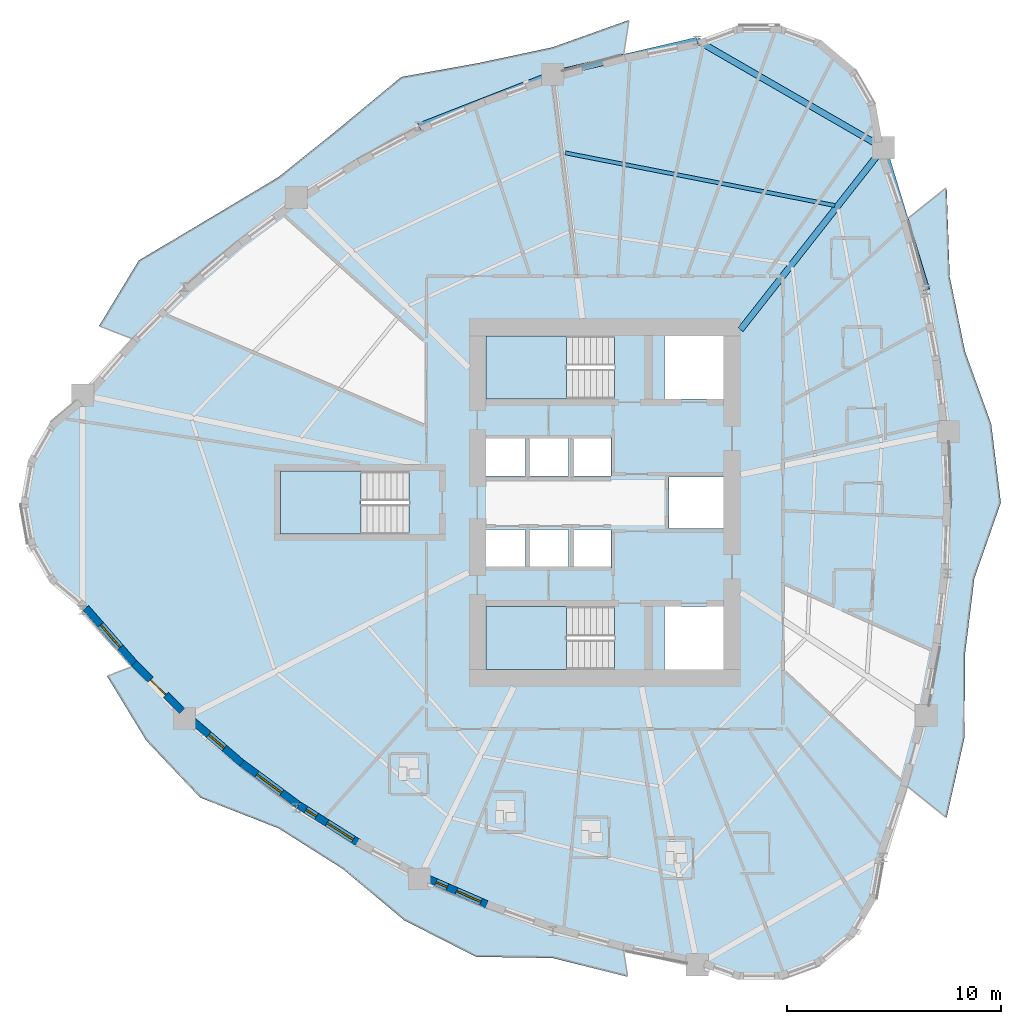
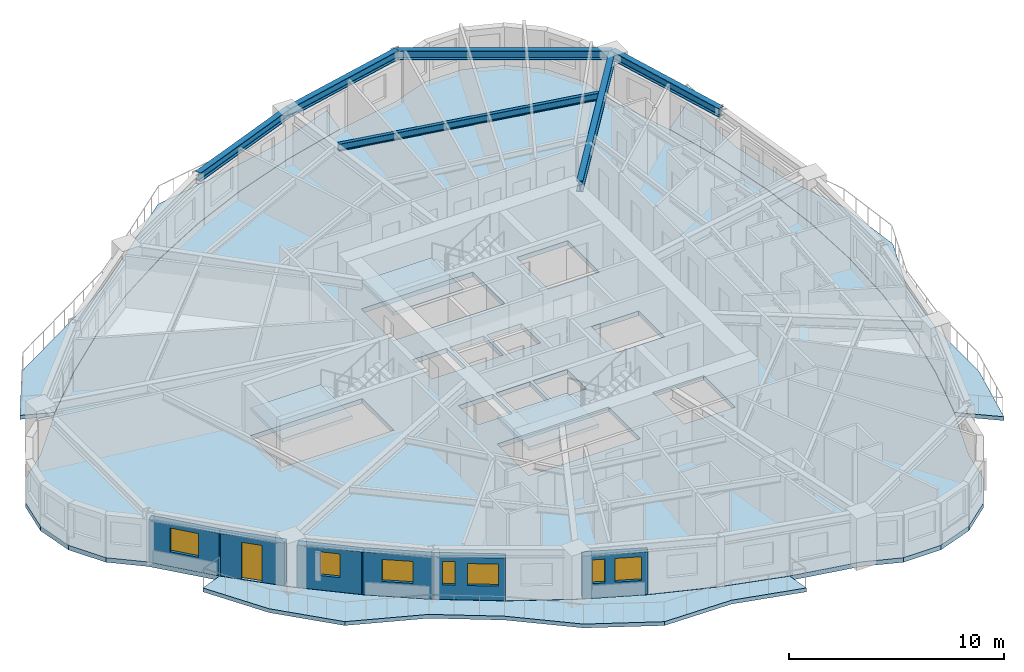
# One storey, part 2 of 14: 7 slabs, 7 windows, 6 beams, 6 walls, 1 door, 8 openings, 3 elements without a shape of their own.
"""IFC4 building model written with IfcOpenShell, lengths in metres."""

from ifc_helpers import new_model, si_unit, direction, frame, frame_2d, origin, origin_2d, place, context, subcontext, project, spatial, polyline, rectangle, i_section, outline, extrude, source, transform, mapped, material, layer, layer_set, material_profile, profile_set, type_object, element, fill, aggregate, save


model = new_model("IFC4")

# Units and contexts
model_context = context("Model", 3, precision=1e-05, world=origin(), true_north=direction((0.0, 1.0)))
body_context = subcontext(model_context, "Body", "Model", "MODEL_VIEW")
ifc_project = project(units=[si_unit("LENGTHUNIT", "METRE"), si_unit("AREAUNIT", "SQUARE_METRE"), si_unit("VOLUMEUNIT", "CUBIC_METRE"), si_unit("PLANEANGLEUNIT", "RADIAN"), si_unit("MASSUNIT", "GRAM", prefix="KILO")], contexts=[model_context])

# Site, building, storey
site_placement = place(None, origin())
site = spatial("IfcSite", under=ifc_project, at=site_placement, CompositionType="ELEMENT")
building_placement = place(site_placement, origin())
building = spatial("IfcBuilding", under=site, at=building_placement, Name="Qafzar Sky-Pleat Residences", CompositionType="ELEMENT")
storey_placement = place(building_placement, frame((0.0, 0.0, 20.60009765625)))
storey = spatial("IfcBuildingStorey", under=building, at=storey_placement, Name="L05", CompositionType="ELEMENT", Elevation=20.60009765625)

# Beams
ifc_material_1 = material(Name="Steel S355", Category="steel")
ifc_material_profile_1 = material_profile(ifc_material_1, i_section(OverallWidth=0.300048828125, OverallDepth=0.5, WebThickness=0.014404296875, FlangeThickness=0.028076171875, FilletRadius=0.027099609375, at=origin_2d()), Name="HEB 500")
ifc_profile_set_1 = profile_set([ifc_material_profile_1], Name="Steel S355")
beam_type_1 = type_object("IfcBeamType", Name="BM-SPAN-HEB500", PredefinedType="SPANDREL", material=ifc_profile_set_1)
shared_shape_1 = source(origin(), body_context, "Body", "SweptSolid", [
    extrude(i_section(OverallWidth=0.300048828125, OverallDepth=0.5, WebThickness=0.014404296875, FlangeThickness=0.028076171875, FilletRadius=0.027099609375, at=origin_2d()), origin(), (0.0, 0.0, 1.0), 10.0458984375),
])
beam_1_placement = place(storey_placement, frame((43.37255859375, 42.580078125, 2.68798828125), z_axis=(-0.866024107753, 0.500002244785, 0.0), x_axis=(-0.500002244785, -0.866024107753, 0.0)))
element("IfcBeam", 1, at=beam_1_placement, inside=storey, type_object=beam_type_1, Name="L05 Perimeter Spandrel Beam 13", PredefinedType="SPANDREL", context=body_context, shape_type="MappedRepresentation", body=[
    mapped(shared_shape_1, transform((0.0, 0.0, 0.0), x_axis=(1.0, 0.0, 0.0), y_axis=(0.0, 1.0, 0.0), z_axis=(0.0, 0.0, 1.0), scale=1.0)),
])
shared_shape_2 = source(origin(), body_context, "Body", "SweptSolid", [
    extrude(i_section(OverallWidth=0.300048828125, OverallDepth=0.5, WebThickness=0.014404296875, FlangeThickness=0.028076171875, FilletRadius=0.027099609375, at=origin_2d()), origin(), (0.0, 0.0, 1.0), 6.931640625),
])
beam_2_placement = place(storey_placement, frame((45.388671875, 35.947998046875, 2.68798828125), z_axis=(-0.290851866261, 0.956768097238, 0.0), x_axis=(-0.956768097238, -0.290851866261, 0.0)))
element("IfcBeam", 2, at=beam_2_placement, inside=storey, type_object=beam_type_1, Name="L05 Perimeter Spandrel Beam 12", PredefinedType="SPANDREL", context=body_context, shape_type="MappedRepresentation", body=[
    mapped(shared_shape_2, transform((0.0, 0.0, 0.0), x_axis=(1.0, 0.0, 0.0), y_axis=(0.0, 1.0, 0.0), z_axis=(0.0, 0.0, 1.0), scale=1.0)),
])
shared_shape_3 = source(origin(), body_context, "Body", "SweptSolid", [
    extrude(i_section(OverallWidth=0.300048828125, OverallDepth=0.5, WebThickness=0.014404296875, FlangeThickness=0.028076171875, FilletRadius=0.027099609375, at=origin_2d()), origin(), (0.0, 0.0, 1.0), 6.708251953125),
])
beam_3_placement = place(storey_placement, frame((27.9208984375, 46.032958984375, 2.68798828125), z_axis=(-0.931335108282, -0.364163309631, 0.0), x_axis=(0.364163309631, -0.931335108282, 0.0)))
element("IfcBeam", 3, at=beam_3_placement, inside=storey, type_object=beam_type_1, Name="L05 Perimeter Spandrel Beam 15", PredefinedType="SPANDREL", context=body_context, shape_type="MappedRepresentation", body=[
    mapped(shared_shape_3, transform((0.0, 0.0, 0.0), x_axis=(1.0, 0.0, 0.0), y_axis=(0.0, 1.0, 0.0), z_axis=(0.0, 0.0, 1.0), scale=1.0)),
])
shared_shape_4 = source(origin(), body_context, "Body", "SweptSolid", [
    extrude(i_section(OverallWidth=0.300048828125, OverallDepth=0.5, WebThickness=0.014404296875, FlangeThickness=0.028076171875, FilletRadius=0.027099609375, at=origin_2d()), origin(), (0.0, 0.0, 1.0), 6.931884765625),
])
beam_4_placement = place(storey_placement, frame((34.672607421875, 47.60302734375, 2.68798828125), z_axis=(-0.974011098993, -0.226500284853, 0.0), x_axis=(0.226500284853, -0.974011098993, 0.0)))
element("IfcBeam", 4, at=beam_4_placement, inside=storey, type_object=beam_type_1, Name="L05 Perimeter Spandrel Beam 14", PredefinedType="SPANDREL", context=body_context, shape_type="MappedRepresentation", body=[
    mapped(shared_shape_4, transform((0.0, 0.0, 0.0), x_axis=(1.0, 0.0, 0.0), y_axis=(0.0, 1.0, 0.0), z_axis=(0.0, 0.0, 1.0), scale=1.0)),
])
ifc_material_profile_2 = material_profile(ifc_material_1, i_section(OverallWidth=0.300048828125, OverallDepth=0.60009765625, WebThickness=0.015380859375, FlangeThickness=0.030029296875, FilletRadius=0.027099609375, at=origin_2d()), Name="HEB 600")
ifc_profile_set_2 = profile_set([ifc_material_profile_2], Name="Steel S355")
beam_type_2 = type_object("IfcBeamType", Name="BM-GIRD-HEB600", PredefinedType="BEAM", material=ifc_profile_set_2)
shared_shape_5 = source(origin(), body_context, "Body", "SweptSolid", [
    extrude(i_section(OverallWidth=0.300048828125, OverallDepth=0.60009765625, WebThickness=0.015380859375, FlangeThickness=0.030029296875, FilletRadius=0.027099609375, at=origin_2d()), origin(), (0.0, 0.0, 1.0), 10.802490234375),
])
beam_5_placement = place(storey_placement, frame((43.37255859375, 42.580078125, 2.637939453125), z_axis=(-0.617688793102, -0.786422631208, 0.0), x_axis=(0.786422631208, -0.617688793102, 0.0)))
element("IfcBeam", 5, at=beam_5_placement, inside=storey, type_object=beam_type_2, Name="L05 Radial Floor Girder 13", PredefinedType="BEAM", context=body_context, shape_type="MappedRepresentation", body=[
    mapped(shared_shape_5, transform((0.0, 0.0, 0.0), x_axis=(1.0, 0.0, 0.0), y_axis=(0.0, 1.0, 0.0), z_axis=(0.0, 0.0, 1.0), scale=1.0)),
])
ifc_material_profile_3 = material_profile(ifc_material_1, i_section(OverallWidth=0.179931640625, OverallDepth=0.39990234375, WebThickness=0.008544921875, FlangeThickness=0.013427734375, FilletRadius=0.02099609375, at=origin_2d()), Name="IPE 400")
ifc_profile_set_3 = profile_set([ifc_material_profile_3], Name="Steel S355")
beam_type_3 = type_object("IfcBeamType", Name="BM-JST-IPE400", PredefinedType="JOIST", material=ifc_profile_set_3)
shared_shape_6 = source(origin(), body_context, "Body", "SweptSolid", [
    extrude(i_section(OverallWidth=0.179931640625, OverallDepth=0.39990234375, WebThickness=0.008544921875, FlangeThickness=0.013427734375, FilletRadius=0.02099609375, at=origin_2d()), origin(), (0.0, 0.0, 1.0), 12.845703125),
])
beam_6_placement = place(storey_placement, frame((41.104736328125, 39.887451171875, 2.73779296875), z_axis=(-0.98147377173, 0.191596543305, 0.0), x_axis=(-0.191596543305, -0.98147377173, 0.0)))
element("IfcBeam", 6, at=beam_6_placement, inside=storey, type_object=beam_type_3, Name="L05 Outer Secondary Floor Joist 7", PredefinedType="JOIST", context=body_context, shape_type="MappedRepresentation", body=[
    mapped(shared_shape_6, transform((0.0, 0.0, 0.0), x_axis=(1.0, 0.0, 0.0), y_axis=(0.0, 1.0, 0.0), z_axis=(0.0, 0.0, 1.0), scale=1.0)),
])

# Slabs
ifc_material_2 = material(Name="Concrete C40/50", Category="concrete")
ifc_layer_1 = layer(ifc_material_2, 0.219970703125)
ifc_layer_set_1 = layer_set([ifc_layer_1], Name="Concrete C40/50")
slab_type_1 = type_object("IfcSlabType", Name="SLAB-BAL-220", PredefinedType="USERDEFINED", material=ifc_layer_set_1)
slab_1_placement = place(storey_placement, frame((0.0, 0.0, -0.22021484375)))
element("IfcSlab", 7, at=slab_1_placement, inside=storey, type_object=slab_type_1, Name="L05 Pleated Stone Balcony 1", ObjectType="BALCONY", PredefinedType="USERDEFINED", context=body_context, shape_type="SweptSolid", body=[
    extrude(outline(polyline([(45.39892578125, 16.0458984375), (46.030029296875, 19.364013671875), (46.408447265625, 22.681884765625), (46.53466796875, 26.0), (46.408447265625, 29.318115234375), (46.030029296875, 32.635986328125), (45.39892578125, 35.9541015625), (44.51611328125, 39.271484375), (46.3330078125, 40.7314453125), (46.4736328125, 36.568603515625), (47.19189453125, 33.063720703125), (48.414306640625, 29.6796875), (48.865478515625, 26.0), (47.626953125, 22.46240234375), (47.19189453125, 18.936279296875), (47.16796875, 15.033935546875), (46.3330078125, 11.2685546875), (44.51611328125, 12.728515625), (45.39892578125, 16.0458984375)])), origin(), (0.0, 0.0, 1.0), 0.22021484375),
])
slab_2_placement = place(storey_placement, frame((0.0, 0.0, -0.22021484375)))
element("IfcSlab", 8, at=slab_2_placement, inside=storey, type_object=slab_type_1, Name="L05 Pleated Stone Balcony 2", ObjectType="BALCONY", PredefinedType="USERDEFINED", context=body_context, shape_type="SweptSolid", body=[
    extrude(outline(polyline([(27.9208984375, 46.044921875), (24.732177734375, 44.932373046875), (21.669189453125, 43.601318359375), (18.732666015625, 42.051513671875), (15.922119140625, 40.283203125), (13.238037109375, 38.29638671875), (10.679931640625, 36.091064453125), (8.24853515625, 33.66748046875), (6.721435546875, 34.26025390625), (8.573486328125, 37.318359375), (11.9794921875, 39.344482421875), (15.122802734375, 41.228515625), (17.91357421875, 43.469970703125), (20.84423828125, 45.8955078125), (24.45361328125, 46.546630859375), (27.916015625, 47.282958984375), (31.485595703125, 48.5576171875), (31.235595703125, 46.93896484375), (27.9208984375, 46.044921875)])), origin(), (0.0, 0.0, 1.0), 0.22021484375),
])
slab_3_placement = place(storey_placement, frame((0.0, 0.0, -0.22021484375)))
element("IfcSlab", 9, at=slab_3_placement, inside=storey, type_object=slab_type_1, Name="L05 Pleated Stone Balcony 3", ObjectType="BALCONY", PredefinedType="USERDEFINED", context=body_context, shape_type="SweptSolid", body=[
    extrude(outline(polyline([(10.679931640625, 15.908935546875), (13.238037109375, 13.70361328125), (15.922119140625, 11.716796875), (18.732666015625, 9.948486328125), (21.669189453125, 8.398681640625), (24.732177734375, 7.067626953125), (27.9208984375, 5.955078125), (31.235595703125, 5.06103515625), (31.424560546875, 3.837646484375), (27.916015625, 4.717041015625), (24.335693359375, 4.770751953125), (20.9794921875, 6.48095703125), (18.113525390625, 8.87646484375), (15.122802734375, 10.771484375), (11.447021484375, 12.2119140625), (8.919189453125, 14.883056640625), (7.094482421875, 17.884521484375), (8.24853515625, 18.33251953125), (10.679931640625, 15.908935546875)])), origin(), (0.0, 0.0, 1.0), 0.22021484375),
])
ifc_layer_2 = layer(ifc_material_2, 0.260009765625)
ifc_layer_set_2 = layer_set([ifc_layer_2], Name="Concrete C40/50")
slab_type_2 = type_object("IfcSlabType", Name="SLAB-FLR-260", PredefinedType="FLOOR", material=ifc_layer_set_2)
slab_4_placement = place(storey_placement, frame((0.0, 0.0, -0.260009765625)))
element("IfcSlab", 10, at=slab_4_placement, inside=storey, type_object=slab_type_2, Name="L05 Structural Floor Slab", PredefinedType="FLOOR", context=body_context, shape_type="SweptSolid", body=[
    extrude(outline(polyline([(5.955078125, 31.02294921875), (4.411865234375, 29.728271484375), (3.40478515625, 27.983642578125), (3.054931640625, 26.0), (3.40478515625, 24.016357421875), (4.411865234375, 22.271728515625), (5.955078125, 20.97705078125), (8.259765625, 18.3369140625), (10.6904296875, 15.9150390625), (13.247314453125, 13.71142578125), (15.929931640625, 11.72607421875), (18.738525390625, 9.958984375), (21.67333984375, 8.409912109375), (24.734130859375, 7.079345703125), (27.9208984375, 5.967041015625), (31.233642578125, 5.072998046875), (34.672607421875, 4.39697265625), (36.565185546875, 3.7080078125), (38.57958984375, 3.7080078125), (40.472412109375, 4.39697265625), (42.015625, 5.69189453125), (43.022705078125, 7.436279296875), (43.37255859375, 9.419921875), (44.506591796875, 12.736083984375), (45.388671875, 16.052001953125), (46.018798828125, 19.367919921875), (46.396728515625, 22.68408203125), (46.522705078125, 26.0), (46.396728515625, 29.31591796875), (46.018798828125, 32.632080078125), (45.388671875, 35.947998046875), (44.506591796875, 39.263916015625), (43.37255859375, 42.580078125), (43.022705078125, 44.563720703125), (42.015625, 46.30810546875), (40.472412109375, 47.60302734375), (38.57958984375, 48.2919921875), (36.565185546875, 48.2919921875), (34.672607421875, 47.60302734375), (31.233642578125, 46.927001953125), (27.9208984375, 46.032958984375), (24.734130859375, 44.920654296875), (21.67333984375, 43.590087890625), (18.738525390625, 42.041015625), (15.929931640625, 40.27392578125), (13.247314453125, 38.28857421875), (10.6904296875, 36.0849609375), (8.259765625, 33.6630859375), (5.955078125, 31.02294921875)]), holes=[polyline([(30.797119140625, 21.14990234375), (24.800048828125, 21.14990234375), (24.800048828125, 18.199951171875), (30.797119140625, 18.199951171875), (30.797119140625, 21.14990234375)]), polyline([(30.797119140625, 33.800048828125), (24.800048828125, 33.800048828125), (24.800048828125, 30.85009765625), (30.797119140625, 30.85009765625), (30.797119140625, 33.800048828125)]), polyline([(21.197021484375, 27.47509765625), (15.199951171875, 27.47509765625), (15.199951171875, 24.52490234375), (21.197021484375, 24.52490234375), (21.197021484375, 27.47509765625)]), polyline([(24.800048828125, 22.949951171875), (26.64990234375, 22.949951171875), (26.64990234375, 24.75), (24.800048828125, 24.75), (24.800048828125, 22.949951171875)]), polyline([(26.800048828125, 22.949951171875), (28.64990234375, 22.949951171875), (28.64990234375, 24.75), (26.800048828125, 24.75), (26.800048828125, 22.949951171875)]), polyline([(28.800048828125, 22.949951171875), (30.64990234375, 22.949951171875), (30.64990234375, 24.75), (28.800048828125, 24.75), (28.800048828125, 22.949951171875)]), polyline([(24.800048828125, 27.25), (26.64990234375, 27.25), (26.64990234375, 29.050048828125), (24.800048828125, 29.050048828125), (24.800048828125, 27.25)]), polyline([(26.800048828125, 27.25), (28.64990234375, 27.25), (28.64990234375, 29.050048828125), (26.800048828125, 29.050048828125), (26.800048828125, 27.25)]), polyline([(28.800048828125, 27.25), (30.64990234375, 27.25), (30.64990234375, 29.050048828125), (28.800048828125, 29.050048828125), (28.800048828125, 27.25)]), polyline([(33.14990234375, 18.199951171875), (35.89990234375, 18.199951171875), (35.89990234375, 21.14990234375), (33.14990234375, 21.14990234375), (33.14990234375, 18.199951171875)]), polyline([(33.14990234375, 30.85009765625), (35.89990234375, 30.85009765625), (35.89990234375, 33.800048828125), (33.14990234375, 33.800048828125), (33.14990234375, 30.85009765625)]), polyline([(33.35009765625, 24.800048828125), (35.89990234375, 24.800048828125), (35.89990234375, 27.199951171875), (33.35009765625, 27.199951171875), (33.35009765625, 24.800048828125)])]), origin(), (0.0, 0.0, 1.0), 0.260009765625),
])

# Stair, slab
stair_type = type_object("IfcStairType", Name="STAIR-H320", PredefinedType="HALF_TURN_STAIR", material=ifc_material_2)
stair_1_placement = place(storey_placement, origin())
stair_1 = element("IfcStair", 11, at=stair_1_placement, inside=storey, type_object=stair_type, Name="L05 Protected Exit Stair ST1", PredefinedType="HALF_TURN_STAIR")
ifc_layer_3 = layer(ifc_material_2, 0.199951171875)
ifc_layer_set_3 = layer_set([ifc_layer_3], Name="Concrete C40/50")
slab_type_3 = type_object("IfcSlabType", Name="SLAB-LANDING-200", PredefinedType="LANDING", material=ifc_layer_set_3)
slab_5_placement = place(storey_placement, frame((0.0, 0.0, 1.39990234375)))
slab_5 = element("IfcSlab", 12, at=slab_5_placement, type_object=slab_type_3, Name="ST1 landing 1", PredefinedType="LANDING", context=body_context, shape_type="SweptSolid", body=[
    extrude(outline(polyline([(28.56005859375, 21.14990234375), (24.800048828125, 21.14990234375), (24.800048828125, 18.199951171875), (28.56005859375, 18.199951171875), (28.56005859375, 21.14990234375)])), origin(), (0.0, 0.0, 1.0), 0.199951171875),
])
aggregate(stair_1, [slab_5])

stair_2_placement = place(storey_placement, origin())
stair_2 = element("IfcStair", 13, at=stair_2_placement, inside=storey, type_object=stair_type, Name="L05 Protected Exit Stair ST2", PredefinedType="HALF_TURN_STAIR")
slab_6_placement = place(storey_placement, frame((0.0, 0.0, 1.39990234375)))
slab_6 = element("IfcSlab", 14, at=slab_6_placement, type_object=slab_type_3, Name="ST2 landing 1", PredefinedType="LANDING", context=body_context, shape_type="SweptSolid", body=[
    extrude(outline(polyline([(28.56005859375, 33.800048828125), (24.800048828125, 33.800048828125), (24.800048828125, 30.85009765625), (28.56005859375, 30.85009765625), (28.56005859375, 33.800048828125)])), origin(), (0.0, 0.0, 1.0), 0.199951171875),
])
aggregate(stair_2, [slab_6])

stair_3_placement = place(storey_placement, origin())
stair_3 = element("IfcStair", 15, at=stair_3_placement, inside=storey, type_object=stair_type, Name="L05 Protected Exit Stair ST3", PredefinedType="HALF_TURN_STAIR")
slab_7_placement = place(storey_placement, frame((0.0, 0.0, 1.39990234375)))
slab_7 = element("IfcSlab", 16, at=slab_7_placement, type_object=slab_type_3, Name="ST3 landing 1", PredefinedType="LANDING", context=body_context, shape_type="SweptSolid", body=[
    extrude(outline(polyline([(18.9599609375, 27.47509765625), (15.199951171875, 27.47509765625), (15.199951171875, 24.52490234375), (18.9599609375, 24.52490234375), (18.9599609375, 27.47509765625)])), origin(), (0.0, 0.0, 1.0), 0.199951171875),
])
aggregate(stair_3, [slab_7])

# Wall, opening, window
ifc_material_3 = material(Name="Precast concrete C40/50 with honed Riyadh limestone", Category="concrete")
ifc_layer_4 = layer(ifc_material_3, 0.35009765625)
ifc_layer_set_4 = layer_set([ifc_layer_4], Name="Precast concrete C40/50 with honed Riyadh limestone")
wall_type = type_object("IfcWallType", Name="WALL-EXT-350", PredefinedType="SOLIDWALL", material=ifc_layer_set_4)
wall_1_placement = place(storey_placement, frame((6.10009765625, 21.0771484375, 0.0), z_axis=(0.0, 0.0, 1.0), x_axis=(0.657591470028, -0.753374713238, 0.0)))
wall_1 = element("IfcWall", 17, at=wall_1_placement, inside=storey, type_object=wall_type, Name="L05 Limestone Facade Wall 7", PredefinedType="SOLIDWALL", context=body_context, shape_type="SweptSolid", body=[
    extrude(rectangle(XDim=3.5224609375, YDim=0.35009765625, at=frame_2d((1.76123046875, 0.0))), origin(), (0.0, 0.0, 1.0), 2.419921875),
])
opening_1_placement = place(wall_1_placement, frame((1.05126953125, 0.0, 0.820068359375)))
opening_1 = element("IfcOpeningElement", 18, at=opening_1_placement, cuts=wall_1, Name="Opening WN-10", PredefinedType="OPENING", context=body_context, shape_type="SweptSolid", body=[
    extrude(rectangle(XDim=1.39990234375, YDim=1.35009765625, at=frame_2d((0.699951171875, 0.675048828125))), frame((0.0, 0.18505859375, 0.0), z_axis=(0.0, -1.0, 0.0), x_axis=(1.0, 0.0, 0.0)), (0.0, 0.0, 1.0), 0.3701171875),
])
ifc_material_4 = material(Name="Solar-control low-E glass in bronze aluminium frame", Category="glass")
window_type_1 = type_object("IfcWindowType", Name="WIN-10", PartitioningType="SINGLE_PANEL", PredefinedType="WINDOW", material=ifc_material_4)
shared_shape_7 = source(origin(), body_context, "Body", "SweptSolid", [
    extrude(rectangle(XDim=1.39990234375, YDim=1.35009765625, at=frame_2d((0.699951171875, 0.675048828125))), frame((0.0, 0.030029296875, 0.0), z_axis=(0.0, -1.0, 0.0), x_axis=(1.0, 0.0, 0.0)), (0.0, 0.0, 1.0), 0.06005859375),
])
window_1_placement = place(opening_1_placement, origin())
window_1 = element("IfcWindow", 19, at=window_1_placement, inside=storey, type_object=window_type_1, Name="L05 Punched Facade Window 07", OverallHeight=1.35009765625, OverallWidth=1.39990234375, PartitioningType="SINGLE_PANEL", PredefinedType="WINDOW", context=body_context, shape_type="MappedRepresentation", body=[
    mapped(shared_shape_7, transform((0.0, 0.0, 0.0), x_axis=(1.0, 0.0, 0.0), y_axis=(0.0, 1.0, 0.0), z_axis=(0.0, 0.0, 1.0), scale=1.0)),
])
fill(opening_1, window_1)

# Wall, opening, door
wall_2_placement = place(storey_placement, frame((8.356201171875, 18.48779296875, 0.0), z_axis=(0.0, 0.0, 1.0), x_axis=(0.708376649612, -0.705834628142, 0.0)))
wall_2 = element("IfcWall", 20, at=wall_2_placement, inside=storey, type_object=wall_type, Name="L05 Limestone Facade Wall 8", PredefinedType="SOLIDWALL", context=body_context, shape_type="SweptSolid", body=[
    extrude(rectangle(XDim=3.16943359375, YDim=0.35009765625, at=frame_2d((1.584716796875, 0.0))), origin(), (0.0, 0.0, 1.0), 2.419921875),
])
opening_2_placement = place(wall_2_placement, frame((1.084716796875, 0.0, 0.0)))
opening_2 = element("IfcOpeningElement", 21, at=opening_2_placement, cuts=wall_2, Name="Opening ED-05", PredefinedType="OPENING", context=body_context, shape_type="SweptSolid", body=[
    extrude(rectangle(XDim=1.0, YDim=2.10009765625, at=frame_2d((0.5, 1.050048828125))), frame((0.0, 0.18505859375, 0.0), z_axis=(0.0, -1.0, 0.0), x_axis=(1.0, 0.0, 0.0)), (0.0, 0.0, 1.0), 0.3701171875),
])
ifc_material_5 = material(Name="Glazed bronze aluminium door", Category="aluminium")
door_type = type_object("IfcDoorType", Name="DR-BAL-1000", OperationType="NOTDEFINED", PredefinedType="DOOR", material=ifc_material_5)
shared_shape_8 = source(origin(), body_context, "Body", "SweptSolid", [
    extrude(rectangle(XDim=1.0, YDim=2.10009765625, at=frame_2d((0.5, 1.050048828125))), frame((0.0, 0.02490234375, 0.0), z_axis=(0.0, -1.0, 0.0), x_axis=(1.0, 0.0, 0.0)), (0.0, 0.0, 1.0), 0.050048828125),
])
door_placement = place(opening_2_placement, origin())
door = element("IfcDoor", 22, at=door_placement, inside=storey, type_object=door_type, Name="L05 Glazed Balcony Door 3", OperationType="SINGLE_SWING_LEFT", OverallHeight=2.10009765625, OverallWidth=1.0, PredefinedType="DOOR", context=body_context, shape_type="MappedRepresentation", body=[
    mapped(shared_shape_8, transform((0.0, 0.0, 0.0), x_axis=(1.0, 0.0, 0.0), y_axis=(0.0, 1.0, 0.0), z_axis=(0.0, 0.0, 1.0), scale=1.0)),
])
fill(opening_2, door)

# Wall, opening, window
wall_3_placement = place(storey_placement, frame((11.031982421875, 15.851806640625, 0.0), z_axis=(0.0, 0.0, 1.0), x_axis=(0.757438043692, -0.652907045427, 0.0)))
wall_3 = element("IfcWall", 23, at=wall_3_placement, inside=storey, type_object=wall_type, Name="L05 Limestone Facade Wall 9", PredefinedType="SOLIDWALL", context=body_context, shape_type="SweptSolid", body=[
    extrude(rectangle(XDim=3.11328125, YDim=0.35009765625, at=frame_2d((1.556640625, 0.0))), origin(), (0.0, 0.0, 1.0), 2.419921875),
])
opening_3_placement = place(wall_3_placement, frame((1.07666015625, 0.0, 0.820068359375)))
opening_3 = element("IfcOpeningElement", 24, at=opening_3_placement, cuts=wall_3, Name="Opening WN-12", PredefinedType="OPENING", context=body_context, shape_type="SweptSolid", body=[
    extrude(rectangle(XDim=0.949951171875, YDim=1.35009765625, at=frame_2d((0.47509765625, 0.675048828125))), frame((0.0, 0.18505859375, 0.0), z_axis=(0.0, -1.0, 0.0), x_axis=(1.0, 0.0, 0.0)), (0.0, 0.0, 1.0), 0.3701171875),
])
window_type_2 = type_object("IfcWindowType", Name="WIN-12", PartitioningType="SINGLE_PANEL", PredefinedType="WINDOW", material=ifc_material_4)
shared_shape_9 = source(origin(), body_context, "Body", "SweptSolid", [
    extrude(rectangle(XDim=0.949951171875, YDim=1.35009765625, at=frame_2d((0.47509765625, 0.675048828125))), frame((0.0, 0.030029296875, 0.0), z_axis=(0.0, -1.0, 0.0), x_axis=(1.0, 0.0, 0.0)), (0.0, 0.0, 1.0), 0.06005859375),
])
window_2_placement = place(opening_3_placement, origin())
window_2 = element("IfcWindow", 25, at=window_2_placement, inside=storey, type_object=window_type_2, Name="L05 Punched Facade Window 09", OverallHeight=1.35009765625, OverallWidth=0.949951171875, PartitioningType="SINGLE_PANEL", PredefinedType="WINDOW", context=body_context, shape_type="MappedRepresentation", body=[
    mapped(shared_shape_9, transform((0.0, 0.0, 0.0), x_axis=(1.0, 0.0, 0.0), y_axis=(0.0, 1.0, 0.0), z_axis=(0.0, 0.0, 1.0), scale=1.0)),
])
fill(opening_3, window_2)

wall_4_placement = place(storey_placement, frame((13.32080078125, 13.874755859375, 0.0), z_axis=(0.0, 0.0, 1.0), x_axis=(0.803799451214, -0.594900363278, 0.0)))
wall_4 = element("IfcWall", 26, at=wall_4_placement, inside=storey, type_object=wall_type, Name="L05 Limestone Facade Wall 10", PredefinedType="SOLIDWALL", context=body_context, shape_type="SweptSolid", body=[
    extrude(rectangle(XDim=3.355224609375, YDim=0.35009765625, at=frame_2d((1.677734375, 0.0))), origin(), (0.0, 0.0, 1.0), 2.419921875),
])
opening_4_placement = place(wall_4_placement, frame((0.962646484375, 0.0, 0.820068359375)))
opening_4 = element("IfcOpeningElement", 27, at=opening_4_placement, cuts=wall_4, Name="Opening WN-15", PredefinedType="OPENING", context=body_context, shape_type="SweptSolid", body=[
    extrude(rectangle(XDim=1.449951171875, YDim=1.25, at=frame_2d((0.72509765625, 0.625))), frame((0.0, 0.18505859375, 0.0), z_axis=(0.0, -1.0, 0.0), x_axis=(1.0, 0.0, 0.0)), (0.0, 0.0, 1.0), 0.3701171875),
])
window_type_3 = type_object("IfcWindowType", Name="WIN-15", PartitioningType="SINGLE_PANEL", PredefinedType="WINDOW", material=ifc_material_4)
shared_shape_10 = source(origin(), body_context, "Body", "SweptSolid", [
    extrude(rectangle(XDim=1.449951171875, YDim=1.25, at=frame_2d((0.72509765625, 0.625))), frame((0.0, 0.030029296875, 0.0), z_axis=(0.0, -1.0, 0.0), x_axis=(1.0, 0.0, 0.0)), (0.0, 0.0, 1.0), 0.06005859375),
])
window_3_placement = place(opening_4_placement, origin())
window_3 = element("IfcWindow", 28, at=window_3_placement, inside=storey, type_object=window_type_3, Name="L05 Punched Facade Window 10", OverallHeight=1.25, OverallWidth=1.449951171875, PartitioningType="SINGLE_PANEL", PredefinedType="WINDOW", context=body_context, shape_type="MappedRepresentation", body=[
    mapped(shared_shape_10, transform((0.0, 0.0, 0.0), x_axis=(1.0, 0.0, 0.0), y_axis=(0.0, 1.0, 0.0), z_axis=(0.0, 0.0, 1.0), scale=1.0)),
])
fill(opening_4, window_3)

# Wall, openings, windows
wall_5_placement = place(storey_placement, frame((16.0400390625, 11.863525390625, 0.0), z_axis=(0.0, 0.0, 1.0), x_axis=(0.846428302834, -0.532502702492, 0.0)))
wall_5 = element("IfcWall", 29, at=wall_5_placement, inside=storey, type_object=wall_type, Name="L05 Limestone Facade Wall 11", PredefinedType="SOLIDWALL", context=body_context, shape_type="SweptSolid", body=[
    extrude(rectangle(XDim=3.33642578125, YDim=0.35009765625, at=frame_2d((1.668212890625, 0.0))), origin(), (0.0, 0.0, 1.0), 2.419921875),
])
opening_5_placement = place(wall_5_placement, frame((0.409423828125, 0.0, 0.820068359375)))
opening_5 = element("IfcOpeningElement", 30, at=opening_5_placement, cuts=wall_5, Name="Opening WN-17", PredefinedType="OPENING", context=body_context, shape_type="SweptSolid", body=[
    extrude(rectangle(XDim=0.580078125, YDim=1.35009765625, at=frame_2d((0.2900390625, 0.675048828125))), frame((0.0, 0.18505859375, 0.0), z_axis=(0.0, -1.0, 0.0), x_axis=(1.0, 0.0, 0.0)), (0.0, 0.0, 1.0), 0.3701171875),
])
opening_6_placement = place(wall_5_placement, frame((1.572509765625, 0.0, 0.820068359375)))
opening_6 = element("IfcOpeningElement", 31, at=opening_6_placement, cuts=wall_5, Name="Opening WN-15", PredefinedType="OPENING", context=body_context, shape_type="SweptSolid", body=[
    extrude(rectangle(XDim=1.449951171875, YDim=1.25, at=frame_2d((0.72509765625, 0.625))), frame((0.0, 0.18505859375, 0.0), z_axis=(0.0, -1.0, 0.0), x_axis=(1.0, 0.0, 0.0)), (0.0, 0.0, 1.0), 0.3701171875),
])
window_4_placement = place(opening_6_placement, origin())
window_4 = element("IfcWindow", 32, at=window_4_placement, inside=storey, type_object=window_type_3, Name="L05 Punched Facade Window 11-2", OverallHeight=1.25, OverallWidth=1.449951171875, PartitioningType="SINGLE_PANEL", PredefinedType="WINDOW", context=body_context, shape_type="MappedRepresentation", body=[
    mapped(shared_shape_10, transform((0.0, 0.0, 0.0), x_axis=(1.0, 0.0, 0.0), y_axis=(0.0, 1.0, 0.0), z_axis=(0.0, 0.0, 1.0), scale=1.0)),
])
fill(opening_6, window_4)
window_type_4 = type_object("IfcWindowType", Name="WIN-17", PartitioningType="SINGLE_PANEL", PredefinedType="WINDOW", material=ifc_material_4)
shared_shape_11 = source(origin(), body_context, "Body", "SweptSolid", [
    extrude(rectangle(XDim=0.580078125, YDim=1.35009765625, at=frame_2d((0.2900390625, 0.675048828125))), frame((0.0, 0.030029296875, 0.0), z_axis=(0.0, -1.0, 0.0), x_axis=(1.0, 0.0, 0.0)), (0.0, 0.0, 1.0), 0.06005859375),
])
window_5_placement = place(opening_5_placement, origin())
window_5 = element("IfcWindow", 33, at=window_5_placement, inside=storey, type_object=window_type_4, Name="L05 Punched Facade Window 11", OverallHeight=1.35009765625, OverallWidth=0.580078125, PartitioningType="SINGLE_PANEL", PredefinedType="WINDOW", context=body_context, shape_type="MappedRepresentation", body=[
    mapped(shared_shape_11, transform((0.0, 0.0, 0.0), x_axis=(1.0, 0.0, 0.0), y_axis=(0.0, 1.0, 0.0), z_axis=(0.0, 0.0, 1.0), scale=1.0)),
])
fill(opening_5, window_5)

wall_6_placement = place(storey_placement, frame((22.018310546875, 8.450927734375, 0.0), z_axis=(0.0, 0.0, 1.0), x_axis=(0.917071318244, -0.398723208824, 0.0)))
wall_6 = element("IfcWall", 34, at=wall_6_placement, inside=storey, type_object=wall_type, Name="L05 Limestone Facade Wall 13", PredefinedType="SOLIDWALL", context=body_context, shape_type="SweptSolid", body=[
    extrude(rectangle(XDim=3.07568359375, YDim=0.35009765625, at=frame_2d((1.537841796875, 0.0))), origin(), (0.0, 0.0, 1.0), 2.419921875),
])
opening_7_placement = place(wall_6_placement, frame((0.481201171875, 0.0, 0.820068359375)))
opening_7 = element("IfcOpeningElement", 35, at=opening_7_placement, cuts=wall_6, Name="Opening WN-17", PredefinedType="OPENING", context=body_context, shape_type="SweptSolid", body=[
    extrude(rectangle(XDim=0.580078125, YDim=1.35009765625, at=frame_2d((0.2900390625, 0.675048828125))), frame((0.0, 0.18505859375, 0.0), z_axis=(0.0, -1.0, 0.0), x_axis=(1.0, 0.0, 0.0)), (0.0, 0.0, 1.0), 0.3701171875),
])
opening_8_placement = place(wall_6_placement, frame((1.529296875, 0.0, 0.820068359375)))
opening_8 = element("IfcOpeningElement", 36, at=opening_8_placement, cuts=wall_6, Name="Opening WN-11", PredefinedType="OPENING", context=body_context, shape_type="SweptSolid", body=[
    extrude(rectangle(XDim=1.25, YDim=1.35009765625, at=frame_2d((0.625, 0.675048828125))), frame((0.0, 0.18505859375, 0.0), z_axis=(0.0, -1.0, 0.0), x_axis=(1.0, 0.0, 0.0)), (0.0, 0.0, 1.0), 0.3701171875),
])
window_6_placement = place(opening_7_placement, origin())
window_6 = element("IfcWindow", 37, at=window_6_placement, inside=storey, type_object=window_type_4, Name="L05 Punched Facade Window 13", OverallHeight=1.35009765625, OverallWidth=0.580078125, PartitioningType="SINGLE_PANEL", PredefinedType="WINDOW", context=body_context, shape_type="MappedRepresentation", body=[
    mapped(shared_shape_11, transform((0.0, 0.0, 0.0), x_axis=(1.0, 0.0, 0.0), y_axis=(0.0, 1.0, 0.0), z_axis=(0.0, 0.0, 1.0), scale=1.0)),
])
fill(opening_7, window_6)
window_type_5 = type_object("IfcWindowType", Name="WIN-11", PartitioningType="SINGLE_PANEL", PredefinedType="WINDOW", material=ifc_material_4)
shared_shape_12 = source(origin(), body_context, "Body", "SweptSolid", [
    extrude(rectangle(XDim=1.25, YDim=1.35009765625, at=frame_2d((0.625, 0.675048828125))), frame((0.0, 0.030029296875, 0.0), z_axis=(0.0, -1.0, 0.0), x_axis=(1.0, 0.0, 0.0)), (0.0, 0.0, 1.0), 0.06005859375),
])
window_7_placement = place(opening_8_placement, origin())
window_7 = element("IfcWindow", 38, at=window_7_placement, inside=storey, type_object=window_type_5, Name="L05 Punched Facade Window 13-2", OverallHeight=1.35009765625, OverallWidth=1.25, PartitioningType="SINGLE_PANEL", PredefinedType="WINDOW", context=body_context, shape_type="MappedRepresentation", body=[
    mapped(shared_shape_12, transform((0.0, 0.0, 0.0), x_axis=(1.0, 0.0, 0.0), y_axis=(0.0, 1.0, 0.0), z_axis=(0.0, 0.0, 1.0), scale=1.0)),
])
fill(opening_8, window_7)

save(model, "model.ifc")
